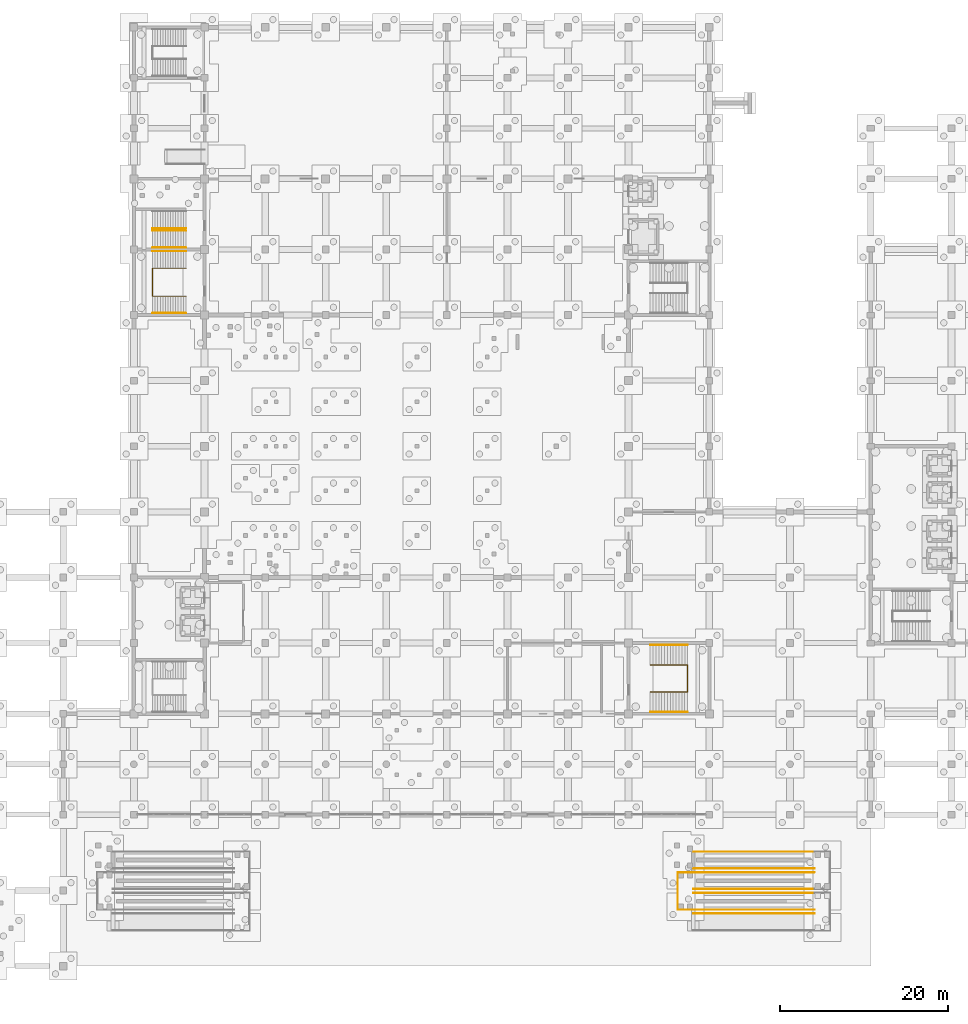
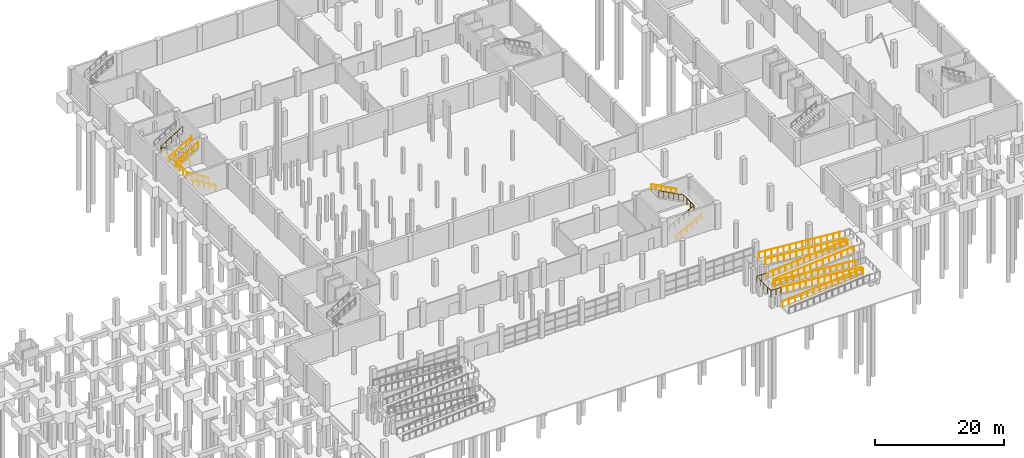
# One storey, part 39 of 42: 16 railings.
"""IFC4 building model written with IfcOpenShell, lengths in metres."""

import ifcopenshell
import ifcopenshell.guid

model = None  # the IFC model being written
_history = None  # IfcOwnerHistory: only IFC2X3 demands one
_inside = {}  # id of a spatial element -> (the spatial element, [elements in it])
_under = {}  # id of a project, library or spatial element -> (it, [spatial elements below it])
_declared = {}  # id of a project -> (the project, [libraries it declares])
_typed = {}  # id of a type object -> (the type object, [elements of that type])
_made_of = {}  # id of a material, layer set ... -> (it, [elements and type objects made of it])


def new_model(schema):
    """Start an empty IFC model of exactly this schema.

    Asked for "IFC4X3", IfcOpenShell would pick the latest addendum, in which some entities
    have other attributes; the version numbers below select the first issue.
    IFC2X3 requires an IfcOwnerHistory on every rooted entity: one is made here for all.
    """
    global model, _history
    if schema == "IFC4X3":
        model = ifcopenshell.file(schema_version=(4, 3, 0, 0))
    else:
        model = ifcopenshell.file(schema=schema)
    _inside.clear()
    _under.clear()
    _declared.clear()
    _typed.clear()
    _made_of.clear()
    _history = None
    if model.schema == "IFC2X3":
        org = make("IfcOrganization", Name="unknown")
        user = make(
            "IfcPersonAndOrganization",
            ThePerson=make("IfcPerson", FamilyName="unknown"),
            TheOrganization=org,
        )
        app = make(
            "IfcApplication",
            ApplicationDeveloper=org,
            Version="unknown",
            ApplicationFullName="unknown",
            ApplicationIdentifier="unknown",
        )
        _history = make(
            "IfcOwnerHistory",
            OwningUser=user,
            OwningApplication=app,
            ChangeAction="ADDED",
            CreationDate=0,
        )
    return model


def make(cls, **values):
    """One entity of the class cls with the attributes given. An attribute that is None is left unset."""
    return model.create_entity(
        cls, **{name: value for name, value in values.items() if value is not None}
    )


def rooted(cls, **values):
    """An entity with a GlobalId (a new one), such as an element, a storey or a relation."""
    return make(cls, GlobalId=ifcopenshell.guid.new(), OwnerHistory=_history, **values)


def si_unit(unit_type, name, prefix=None):
    """IfcSIUnit, for example si_unit("LENGTHUNIT", "METRE", prefix="MILLI")."""
    return make("IfcSIUnit", UnitType=unit_type, Prefix=prefix, Name=name)


def assignment(units):
    """IfcUnitAssignment: the units of a project."""
    return None if units is None else make("IfcUnitAssignment", Units=units)


def point(xyz):
    """IfcCartesianPoint."""
    return None if xyz is None else make("IfcCartesianPoint", Coordinates=xyz)


def direction(xyz):
    """IfcDirection."""
    return None if xyz is None else make("IfcDirection", DirectionRatios=xyz)


def frame(location, z_axis=None, x_axis=None):
    """IfcAxis2Placement3D, a coordinate frame: its origin and axes. An axis left out is left unset."""
    return make(
        "IfcAxis2Placement3D",
        Location=point(location),
        Axis=direction(z_axis),
        RefDirection=direction(x_axis),
    )


def frame_2d(location, x_axis=None):
    """IfcAxis2Placement2D, a coordinate frame in the plane: its origin and x axis."""
    return make(
        "IfcAxis2Placement2D", Location=point(location), RefDirection=direction(x_axis)
    )


def origin():
    """The frame at (0, 0, 0) with its axes left unset."""
    return frame((0.0, 0.0, 0.0))


def origin_2d():
    """The frame at (0, 0) in the plane with its x axis left unset."""
    return frame_2d((0.0, 0.0))


def place(relative_to, where):
    """IfcLocalPlacement: puts the frame where relative to a parent placement (None: the world)."""
    return make(
        "IfcLocalPlacement", PlacementRelTo=relative_to, RelativePlacement=where
    )


def context(
    kind, dimensions, precision=None, world=None, true_north=None, identifier=None
):
    """IfcGeometricRepresentationContext, for example the 3D "Model" context."""
    return make(
        "IfcGeometricRepresentationContext",
        ContextIdentifier=identifier,
        ContextType=kind,
        CoordinateSpaceDimension=dimensions,
        Precision=precision,
        WorldCoordinateSystem=world,
        TrueNorth=true_north,
    )


def subcontext(parent, identifier, kind, view, scale=None):
    """IfcGeometricRepresentationSubContext, for example "Body" below "Model"."""
    return make(
        "IfcGeometricRepresentationSubContext",
        ContextIdentifier=identifier,
        ContextType=kind,
        ParentContext=parent,
        TargetScale=scale,
        TargetView=view,
    )


def project(units=None, contexts=None):
    """IfcProject with its units and contexts."""
    return rooted(
        "IfcProject",
        Name="project",
        RepresentationContexts=contexts,
        UnitsInContext=assignment(units),
    )


def spatial(cls, under=None, at=None, **own):
    """A site, building, storey or space (cls), placed at a placement, below another one or the project."""
    s = rooted(cls, ObjectPlacement=at, **own)
    if under is not None:
        _under.setdefault(under.id(), (under, []))[1].append(s)
    return s


def profile(cls, at=None, kind="AREA", **sizes):
    """A parametric profile (cls). Its sizes go by their IFC names, for example OverallWidth=200.0."""
    return make(cls, ProfileType=kind, Position=at, **sizes)


def circle(**sizes):
    """IfcCircleProfileDef."""
    return profile("IfcCircleProfileDef", **sizes)


def extrude(swept, where, along, depth):
    """IfcExtrudedAreaSolid: the profile swept, set in the frame where, extruded along a direction by depth."""
    return make(
        "IfcExtrudedAreaSolid",
        SweptArea=swept,
        Position=where,
        ExtrudedDirection=direction(along),
        Depth=depth,
    )


def shape(context_of_items, identifier, shape_type, items):
    """IfcShapeRepresentation: the items that make up one representation, for example the "Body"."""
    return make(
        "IfcShapeRepresentation",
        ContextOfItems=context_of_items,
        RepresentationIdentifier=identifier,
        RepresentationType=shape_type,
        Items=items,
    )


def material(Name=None, Category=None):
    """IfcMaterial."""
    return make("IfcMaterial", Name=Name, Category=Category)


def made_of(thing, what):
    """Note that an element or type object is made of a material, layer set ...; save() writes the relation."""
    if what is not None:
        _made_of.setdefault(what.id(), (what, []))[1].append(thing)
    return thing


def type_object(cls, material=None, **own):
    """A type object (cls), such as IfcWallType, which elements share."""
    return made_of(rooted(cls, **own), material)


def element(
    cls,
    number,
    at=None,
    inside=None,
    cuts=None,
    type_object=None,
    material=None,
    context=None,
    identifier="Body",
    shape_type=None,
    held_by="IfcProductDefinitionShape",
    body=None,
    shapes=None,
    **own,
):
    """One element of the class cls, such as IfcWall. Its Tag is "e" and its number.

    at: its placement. inside: the storey or other place that contains it. cuts: it is an
    opening in that element (IfcRelVoidsElement). A single representation is given by context,
    identifier, shape_type and body (its items); several are given by shapes. held_by: the class
    of the entity that holds the representations. save() writes the other relations.
    """
    e = rooted(cls, Tag="e%d" % number, ObjectPlacement=at, **own)
    if body is not None:
        shapes = [shape(context, identifier, shape_type, body)]
    if shapes is not None:
        e.Representation = make(held_by, Representations=shapes)
    if inside is not None:
        _inside.setdefault(inside.id(), (inside, []))[1].append(e)
    if cuts is not None:
        rooted(
            "IfcRelVoidsElement", RelatingBuildingElement=cuts, RelatedOpeningElement=e
        )
    if type_object is not None:
        _typed.setdefault(type_object.id(), (type_object, []))[1].append(e)
    return made_of(e, material)


def aggregate(whole, parts):
    """IfcRelAggregates: a whole, such as a stair, and the parts it consists of."""
    return rooted("IfcRelAggregates", RelatingObject=whole, RelatedObjects=parts)


def save(model, path):
    """Write the relations noted so far, then the file.

    IfcRelAggregates (storeys below a building ...), IfcRelContainedInSpatialStructure (elements
    in a storey), IfcRelDefinesByType, IfcRelAssociatesMaterial and IfcRelDeclares: one each for
    every whole, place, type object, material and project.
    """
    for whole, parts in _under.values():
        aggregate(whole, parts)
    for where, things in _inside.values():
        rooted(
            "IfcRelContainedInSpatialStructure",
            RelatedElements=things,
            RelatingStructure=where,
        )
    for kind, things in _typed.values():
        rooted("IfcRelDefinesByType", RelatedObjects=things, RelatingType=kind)
    for what, things in _made_of.values():
        rooted("IfcRelAssociatesMaterial", RelatedObjects=things, RelatingMaterial=what)
    for by, libraries in _declared.values():
        rooted("IfcRelDeclares", RelatingContext=by, RelatedDefinitions=libraries)
    model.write(path)


model = new_model("IFC4")

# Units and contexts
model_context = context("Model", 3, precision=1e-05, world=origin(), true_north=direction((0.0, 1.0)))
body_context = subcontext(model_context, "Body", "Model", "MODEL_VIEW")
ifc_project = project(units=[si_unit("LENGTHUNIT", "METRE"), si_unit("AREAUNIT", "SQUARE_METRE"), si_unit("VOLUMEUNIT", "CUBIC_METRE"), si_unit("PLANEANGLEUNIT", "RADIAN"), si_unit("MASSUNIT", "GRAM", prefix="KILO")], contexts=[model_context])

# Site, building, storey
site_placement = place(None, origin())
site = spatial("IfcSite", under=ifc_project, at=site_placement, CompositionType="ELEMENT")
building_placement = place(site_placement, origin())
building = spatial("IfcBuilding", under=site, at=building_placement, Name="Pellamere Symphony Hall", CompositionType="ELEMENT")
storey_placement = place(building_placement, frame((0.0, 0.0, -4.800048828125)))
storey = spatial("IfcBuildingStorey", under=building, at=storey_placement, Name="B1", CompositionType="ELEMENT", Elevation=-4.800048828125)

# Railings
ifc_material_1 = material(Name="Painted Steel CSA G40.21 350W", Category="steel")
railing_type_1 = type_object("IfcRailingType", Name="Guardrail GR-02 H1150 Painted", PredefinedType="GUARDRAIL", material=ifc_material_1)
railing_1_placement = place(storey_placement, frame((56.574951171875, 79.639892578125, 0.0)))
element("IfcRailing", 1, at=railing_1_placement, inside=storey, type_object=railing_type_1, Name="Stair ST07-B1 Continuous Well Guardrail (B1)", PredefinedType="GUARDRAIL", context=body_context, shape_type="SweptSolid", body=[
    extrude(circle(Radius=0.02392578125, at=origin_2d()), frame((0.0, 0.0, 1.1259765625), z_axis=(-0.854599162348, 0.0, 0.519288235679), x_axis=(0.0, -1.0, 0.0)), (0.0, 0.0, 1.0), 4.6220703125),
    extrude(circle(Radius=0.02392578125, at=origin_2d()), frame((-3.949951171875, 0.0, 3.52587890625), z_axis=(0.0, 1.0, 0.0), x_axis=(-1.0, 0.0, 0.0)), (0.0, 0.0, 1.0), 3.320068359375),
    extrude(circle(Radius=0.02392578125, at=origin_2d()), frame((-3.949951171875, 3.320068359375, 3.52587890625), z_axis=(0.854622603422, 0.0, 0.519249656446), x_axis=(0.0, 1.0, 0.0)), (0.0, 0.0, 1.0), 4.621826171875),
    extrude(circle(Radius=0.02099609375, at=origin_2d()), origin(), (0.0, 0.0, 1.0), 1.101806640625),
    extrude(circle(Radius=0.02099609375, at=origin_2d()), frame((-0.987548828125, 0.0, 0.60009765625)), (0.0, 0.0, 1.0), 1.101806640625),
    extrude(circle(Radius=0.02099609375, at=origin_2d()), frame((-1.97509765625, 0.0, 1.2001953125)), (0.0, 0.0, 1.0), 1.101806640625),
    extrude(circle(Radius=0.02099609375, at=origin_2d()), frame((-2.96240234375, 0.0, 1.800048828125)), (0.0, 0.0, 1.0), 1.101806640625),
    extrude(circle(Radius=0.02099609375, at=origin_2d()), frame((-3.949951171875, 0.0, 2.400146484375)), (0.0, 0.0, 1.0), 1.101806640625),
    extrude(circle(Radius=0.02099609375, at=origin_2d()), frame((-3.949951171875, 1.106689453125, 2.400146484375)), (0.0, 0.0, 1.0), 1.101806640625),
    extrude(circle(Radius=0.02099609375, at=origin_2d()), frame((-3.949951171875, 2.21337890625, 2.400146484375)), (0.0, 0.0, 1.0), 1.101806640625),
    extrude(circle(Radius=0.02099609375, at=origin_2d()), frame((-3.949951171875, 3.320068359375, 2.400146484375)), (0.0, 0.0, 1.0), 1.101806640625),
    extrude(circle(Radius=0.02099609375, at=origin_2d()), frame((-2.96240234375, 3.320068359375, 3.0)), (0.0, 0.0, 1.0), 1.101806640625),
    extrude(circle(Radius=0.02099609375, at=origin_2d()), frame((-1.97509765625, 3.320068359375, 3.60009765625)), (0.0, 0.0, 1.0), 1.101806640625),
    extrude(circle(Radius=0.02099609375, at=origin_2d()), frame((-0.987548828125, 3.320068359375, 4.2001953125)), (0.0, 0.0, 1.0), 1.101806640625),
    extrude(circle(Radius=0.02099609375, at=origin_2d()), frame((0.0, 3.320068359375, 4.800048828125)), (0.0, 0.0, 1.0), 1.101806640625),
])
railing_2_placement = place(storey_placement, frame((111.77490234375, 32.590087890625, 0.0)))
element("IfcRailing", 2, at=railing_2_placement, inside=storey, type_object=railing_type_1, Name="Stair ST08-B1 Continuous Well Guardrail (B1)", PredefinedType="GUARDRAIL", context=body_context, shape_type="SweptSolid", body=[
    extrude(circle(Radius=0.02392578125, at=origin_2d()), frame((0.0, 0.0, 1.1259765625), z_axis=(0.880149953968, 0.0, 0.474695753646), x_axis=(0.0, 1.0, 0.0)), (0.0, 0.0, 1.0), 5.05615234375),
    extrude(circle(Radius=0.02392578125, at=origin_2d()), frame((4.4501953125, 0.0, 3.52587890625), z_axis=(0.0, 1.0, 0.0), x_axis=(-1.0, 0.0, 0.0)), (0.0, 0.0, 1.0), 3.219970703125),
    extrude(circle(Radius=0.02392578125, at=origin_2d()), frame((4.4501953125, 3.219970703125, 3.52587890625), z_axis=(-0.880170127527, 0.0, 0.474658347245), x_axis=(0.0, -1.0, 0.0)), (0.0, 0.0, 1.0), 5.05615234375),
    extrude(circle(Radius=0.02099609375, at=origin_2d()), origin(), (0.0, 0.0, 1.0), 1.101806640625),
    extrude(circle(Radius=0.02099609375, at=origin_2d()), frame((0.89013671875, 0.0, 0.47998046875)), (0.0, 0.0, 1.0), 1.101806640625),
    extrude(circle(Radius=0.02099609375, at=origin_2d()), frame((1.780029296875, 0.0, 0.9599609375)), (0.0, 0.0, 1.0), 1.101806640625),
    extrude(circle(Radius=0.02099609375, at=origin_2d()), frame((2.670166015625, 0.0, 1.440185546875)), (0.0, 0.0, 1.0), 1.101806640625),
    extrude(circle(Radius=0.02099609375, at=origin_2d()), frame((3.56005859375, 0.0, 1.920166015625)), (0.0, 0.0, 1.0), 1.101806640625),
    extrude(circle(Radius=0.02099609375, at=origin_2d()), frame((4.4501953125, 0.0, 2.400146484375)), (0.0, 0.0, 1.0), 1.101806640625),
    extrude(circle(Radius=0.02099609375, at=origin_2d()), frame((4.4501953125, 1.0732421875, 2.400146484375)), (0.0, 0.0, 1.0), 1.101806640625),
    extrude(circle(Radius=0.02099609375, at=origin_2d()), frame((4.4501953125, 2.146728515625, 2.400146484375)), (0.0, 0.0, 1.0), 1.101806640625),
    extrude(circle(Radius=0.02099609375, at=origin_2d()), frame((4.4501953125, 3.219970703125, 2.400146484375)), (0.0, 0.0, 1.0), 1.101806640625),
    extrude(circle(Radius=0.02099609375, at=origin_2d()), frame((3.56005859375, 3.219970703125, 2.880126953125)), (0.0, 0.0, 1.0), 1.101806640625),
    extrude(circle(Radius=0.02099609375, at=origin_2d()), frame((2.670166015625, 3.219970703125, 3.360107421875)), (0.0, 0.0, 1.0), 1.101806640625),
    extrude(circle(Radius=0.02099609375, at=origin_2d()), frame((1.780029296875, 3.219970703125, 3.840087890625)), (0.0, 0.0, 1.0), 1.101806640625),
    extrude(circle(Radius=0.02099609375, at=origin_2d()), frame((0.89013671875, 3.219970703125, 4.320068359375)), (0.0, 0.0, 1.0), 1.101806640625),
    extrude(circle(Radius=0.02099609375, at=origin_2d()), frame((0.0, 3.219970703125, 4.800048828125)), (0.0, 0.0, 1.0), 1.101806640625),
])
railing_3_placement = place(storey_placement, frame((56.574951171875, 87.43994140625, 0.0)))
element("IfcRailing", 3, at=railing_3_placement, inside=storey, type_object=railing_type_1, Name="Stair ST13-B1 Continuous Well Guardrail (B1)", PredefinedType="GUARDRAIL", context=body_context, shape_type="SweptSolid", body=[
    extrude(circle(Radius=0.02392578125, at=origin_2d()), frame((0.0, 0.0, 1.1259765625), z_axis=(-0.854599162348, 0.0, 0.519288235679), x_axis=(0.0, -1.0, 0.0)), (0.0, 0.0, 1.0), 4.6220703125),
    extrude(circle(Radius=0.02392578125, at=origin_2d()), frame((-3.949951171875, 0.0, 3.52587890625), z_axis=(0.0, 1.0, 0.0), x_axis=(-1.0, 0.0, 0.0)), (0.0, 0.0, 1.0), 0.280029296875),
    extrude(circle(Radius=0.02392578125, at=origin_2d()), frame((-3.949951171875, 0.280029296875, 3.52587890625), z_axis=(0.854622603422, 0.0, 0.519249656446), x_axis=(0.0, 1.0, 0.0)), (0.0, 0.0, 1.0), 4.621826171875),
    extrude(circle(Radius=0.02099609375, at=origin_2d()), origin(), (0.0, 0.0, 1.0), 1.101806640625),
    extrude(circle(Radius=0.02099609375, at=origin_2d()), frame((-0.987548828125, 0.0, 0.60009765625)), (0.0, 0.0, 1.0), 1.101806640625),
    extrude(circle(Radius=0.02099609375, at=origin_2d()), frame((-1.97509765625, 0.0, 1.2001953125)), (0.0, 0.0, 1.0), 1.101806640625),
    extrude(circle(Radius=0.02099609375, at=origin_2d()), frame((-2.96240234375, 0.0, 1.800048828125)), (0.0, 0.0, 1.0), 1.101806640625),
    extrude(circle(Radius=0.02099609375, at=origin_2d()), frame((-3.949951171875, 0.0, 2.400146484375)), (0.0, 0.0, 1.0), 1.101806640625),
    extrude(circle(Radius=0.02099609375, at=origin_2d()), frame((-3.949951171875, 0.280029296875, 2.400146484375)), (0.0, 0.0, 1.0), 1.101806640625),
    extrude(circle(Radius=0.02099609375, at=origin_2d()), frame((-2.96240234375, 0.280029296875, 3.0)), (0.0, 0.0, 1.0), 1.101806640625),
    extrude(circle(Radius=0.02099609375, at=origin_2d()), frame((-1.97509765625, 0.280029296875, 3.60009765625)), (0.0, 0.0, 1.0), 1.101806640625),
    extrude(circle(Radius=0.02099609375, at=origin_2d()), frame((-0.987548828125, 0.280029296875, 4.2001953125)), (0.0, 0.0, 1.0), 1.101806640625),
    extrude(circle(Radius=0.02099609375, at=origin_2d()), frame((0.0, 0.280029296875, 4.800048828125)), (0.0, 0.0, 1.0), 1.101806640625),
])
railing_4_placement = place(storey_placement, frame((116.89990234375, 6.25, 0.0)))
element("IfcRailing", 4, at=railing_4_placement, inside=storey, type_object=railing_type_1, Name="Ramp RMP-02 Flight 1 Guardrail B", PredefinedType="GUARDRAIL", context=body_context, shape_type="SweptSolid", body=[
    extrude(circle(Radius=0.02392578125, at=origin_2d()), frame((0.0, 0.0, 1.1259765625), z_axis=(0.996546107798, 0.0, 0.083041285113), x_axis=(0.0, 1.0, 0.0)), (0.0, 0.0, 1.0), 14.449951171875),
    extrude(circle(Radius=0.02099609375, at=origin_2d()), origin(), (0.0, 0.0, 1.0), 1.101806640625),
    extrude(circle(Radius=0.02099609375, at=origin_2d()), frame((1.107666015625, 0.0, 0.09228515625)), (0.0, 0.0, 1.0), 1.101806640625),
    extrude(circle(Radius=0.02099609375, at=origin_2d()), frame((2.21533203125, 0.0, 0.1845703125)), (0.0, 0.0, 1.0), 1.101806640625),
    extrude(circle(Radius=0.02099609375, at=origin_2d()), frame((3.322998046875, 0.0, 0.27685546875)), (0.0, 0.0, 1.0), 1.101806640625),
    extrude(circle(Radius=0.02099609375, at=origin_2d()), frame((4.430908203125, 0.0, 0.369140625)), (0.0, 0.0, 1.0), 1.101806640625),
    extrude(circle(Radius=0.02099609375, at=origin_2d()), frame((5.53857421875, 0.0, 0.46142578125)), (0.0, 0.0, 1.0), 1.101806640625),
    extrude(circle(Radius=0.02099609375, at=origin_2d()), frame((6.646240234375, 0.0, 0.5537109375)), (0.0, 0.0, 1.0), 1.101806640625),
    extrude(circle(Radius=0.02099609375, at=origin_2d()), frame((7.75390625, 0.0, 0.646240234375)), (0.0, 0.0, 1.0), 1.101806640625),
    extrude(circle(Radius=0.02099609375, at=origin_2d()), frame((8.861572265625, 0.0, 0.738525390625)), (0.0, 0.0, 1.0), 1.101806640625),
    extrude(circle(Radius=0.02099609375, at=origin_2d()), frame((9.96923828125, 0.0, 0.830810546875)), (0.0, 0.0, 1.0), 1.101806640625),
    extrude(circle(Radius=0.02099609375, at=origin_2d()), frame((11.0771484375, 0.0, 0.923095703125)), (0.0, 0.0, 1.0), 1.101806640625),
    extrude(circle(Radius=0.02099609375, at=origin_2d()), frame((12.184814453125, 0.0, 1.015380859375)), (0.0, 0.0, 1.0), 1.101806640625),
    extrude(circle(Radius=0.02099609375, at=origin_2d()), frame((13.29248046875, 0.0, 1.107666015625)), (0.0, 0.0, 1.0), 1.101806640625),
    extrude(circle(Radius=0.02099609375, at=origin_2d()), frame((14.400146484375, 0.0, 1.199951171875)), (0.0, 0.0, 1.0), 1.101806640625),
])
railing_5_placement = place(storey_placement, frame((131.300048828125, 6.699951171875, 1.199951171875)))
element("IfcRailing", 5, at=railing_5_placement, inside=storey, type_object=railing_type_1, Name="Ramp RMP-02 Flight 2 Guardrail A", PredefinedType="GUARDRAIL", context=body_context, shape_type="SweptSolid", body=[
    extrude(circle(Radius=0.02392578125, at=origin_2d()), frame((0.0, 0.0, 1.1259765625), z_axis=(-0.996544709482, 0.0, 0.083058064049), x_axis=(0.0, -1.0, 0.0)), (0.0, 0.0, 1.0), 14.4501953125),
    extrude(circle(Radius=0.02099609375, at=origin_2d()), origin(), (0.0, 0.0, 1.0), 1.101806640625),
    extrude(circle(Radius=0.02099609375, at=origin_2d()), frame((-1.107666015625, 0.0, 0.09228515625)), (0.0, 0.0, 1.0), 1.101806640625),
    extrude(circle(Radius=0.02099609375, at=origin_2d()), frame((-2.21533203125, 0.0, 0.1845703125)), (0.0, 0.0, 1.0), 1.101806640625),
    extrude(circle(Radius=0.02099609375, at=origin_2d()), frame((-3.322998046875, 0.0, 0.27685546875)), (0.0, 0.0, 1.0), 1.101806640625),
    extrude(circle(Radius=0.02099609375, at=origin_2d()), frame((-4.430908203125, 0.0, 0.369384765625)), (0.0, 0.0, 1.0), 1.101806640625),
    extrude(circle(Radius=0.02099609375, at=origin_2d()), frame((-5.53857421875, 0.0, 0.461669921875)), (0.0, 0.0, 1.0), 1.101806640625),
    extrude(circle(Radius=0.02099609375, at=origin_2d()), frame((-6.646240234375, 0.0, 0.553955078125)), (0.0, 0.0, 1.0), 1.101806640625),
    extrude(circle(Radius=0.02099609375, at=origin_2d()), frame((-7.75390625, 0.0, 0.646240234375)), (0.0, 0.0, 1.0), 1.101806640625),
    extrude(circle(Radius=0.02099609375, at=origin_2d()), frame((-8.861572265625, 0.0, 0.738525390625)), (0.0, 0.0, 1.0), 1.101806640625),
    extrude(circle(Radius=0.02099609375, at=origin_2d()), frame((-9.96923828125, 0.0, 0.830810546875)), (0.0, 0.0, 1.0), 1.101806640625),
    extrude(circle(Radius=0.02099609375, at=origin_2d()), frame((-11.0771484375, 0.0, 0.92333984375)), (0.0, 0.0, 1.0), 1.101806640625),
    extrude(circle(Radius=0.02099609375, at=origin_2d()), frame((-12.184814453125, 0.0, 1.015625)), (0.0, 0.0, 1.0), 1.101806640625),
    extrude(circle(Radius=0.02099609375, at=origin_2d()), frame((-13.29248046875, 0.0, 1.10791015625)), (0.0, 0.0, 1.0), 1.101806640625),
    extrude(circle(Radius=0.02099609375, at=origin_2d()), frame((-14.400146484375, 0.0, 1.2001953125)), (0.0, 0.0, 1.0), 1.101806640625),
])
railing_6_placement = place(storey_placement, frame((131.300048828125, 8.699951171875, 1.199951171875)))
element("IfcRailing", 6, at=railing_6_placement, inside=storey, type_object=railing_type_1, Name="Ramp RMP-02 Flight 2 Guardrail B", PredefinedType="GUARDRAIL", context=body_context, shape_type="SweptSolid", body=[
    extrude(circle(Radius=0.02392578125, at=origin_2d()), frame((0.0, 0.0, 1.1259765625), z_axis=(-0.996544709482, 0.0, 0.083058064049), x_axis=(0.0, -1.0, 0.0)), (0.0, 0.0, 1.0), 14.4501953125),
    extrude(circle(Radius=0.02099609375, at=origin_2d()), origin(), (0.0, 0.0, 1.0), 1.101806640625),
    extrude(circle(Radius=0.02099609375, at=origin_2d()), frame((-1.107666015625, 0.0, 0.09228515625)), (0.0, 0.0, 1.0), 1.101806640625),
    extrude(circle(Radius=0.02099609375, at=origin_2d()), frame((-2.21533203125, 0.0, 0.1845703125)), (0.0, 0.0, 1.0), 1.101806640625),
    extrude(circle(Radius=0.02099609375, at=origin_2d()), frame((-3.322998046875, 0.0, 0.27685546875)), (0.0, 0.0, 1.0), 1.101806640625),
    extrude(circle(Radius=0.02099609375, at=origin_2d()), frame((-4.430908203125, 0.0, 0.369384765625)), (0.0, 0.0, 1.0), 1.101806640625),
    extrude(circle(Radius=0.02099609375, at=origin_2d()), frame((-5.53857421875, 0.0, 0.461669921875)), (0.0, 0.0, 1.0), 1.101806640625),
    extrude(circle(Radius=0.02099609375, at=origin_2d()), frame((-6.646240234375, 0.0, 0.553955078125)), (0.0, 0.0, 1.0), 1.101806640625),
    extrude(circle(Radius=0.02099609375, at=origin_2d()), frame((-7.75390625, 0.0, 0.646240234375)), (0.0, 0.0, 1.0), 1.101806640625),
    extrude(circle(Radius=0.02099609375, at=origin_2d()), frame((-8.861572265625, 0.0, 0.738525390625)), (0.0, 0.0, 1.0), 1.101806640625),
    extrude(circle(Radius=0.02099609375, at=origin_2d()), frame((-9.96923828125, 0.0, 0.830810546875)), (0.0, 0.0, 1.0), 1.101806640625),
    extrude(circle(Radius=0.02099609375, at=origin_2d()), frame((-11.0771484375, 0.0, 0.92333984375)), (0.0, 0.0, 1.0), 1.101806640625),
    extrude(circle(Radius=0.02099609375, at=origin_2d()), frame((-12.184814453125, 0.0, 1.015625)), (0.0, 0.0, 1.0), 1.101806640625),
    extrude(circle(Radius=0.02099609375, at=origin_2d()), frame((-13.29248046875, 0.0, 1.10791015625)), (0.0, 0.0, 1.0), 1.101806640625),
    extrude(circle(Radius=0.02099609375, at=origin_2d()), frame((-14.400146484375, 0.0, 1.2001953125)), (0.0, 0.0, 1.0), 1.101806640625),
])
railing_7_placement = place(storey_placement, frame((116.85009765625, 6.699951171875, 2.400146484375)))
element("IfcRailing", 7, at=railing_7_placement, inside=storey, type_object=railing_type_1, Name="Ramp RMP-02 Landing 2 Perimeter Guard", PredefinedType="GUARDRAIL", context=body_context, shape_type="SweptSolid", body=[
    extrude(circle(Radius=0.02392578125, at=origin_2d()), frame((0.0, 0.0, 1.1259765625), z_axis=(-1.0, 0.0, 0.0), x_axis=(0.0, -1.0, 0.0)), (0.0, 0.0, 1.0), 1.800048828125),
    extrude(circle(Radius=0.02392578125, at=origin_2d()), frame((-1.800048828125, 0.0, 1.1259765625), z_axis=(0.0, 1.0, 0.0), x_axis=(-1.0, 0.0, 0.0)), (0.0, 0.0, 1.0), 4.449951171875),
    extrude(circle(Radius=0.02392578125, at=origin_2d()), frame((-1.800048828125, 4.449951171875, 1.1259765625), z_axis=(1.0, 0.0, 0.0), x_axis=(0.0, 1.0, 0.0)), (0.0, 0.0, 1.0), 1.800048828125),
    extrude(circle(Radius=0.02099609375, at=origin_2d()), origin(), (0.0, 0.0, 1.0), 1.101806640625),
    extrude(circle(Radius=0.02099609375, at=origin_2d()), frame((-0.89990234375, 0.0, 0.0)), (0.0, 0.0, 1.0), 1.101806640625),
    extrude(circle(Radius=0.02099609375, at=origin_2d()), frame((-1.800048828125, 0.0, 0.0)), (0.0, 0.0, 1.0), 1.101806640625),
    extrude(circle(Radius=0.02099609375, at=origin_2d()), frame((-1.800048828125, 1.112548828125, 0.0)), (0.0, 0.0, 1.0), 1.101806640625),
    extrude(circle(Radius=0.02099609375, at=origin_2d()), frame((-1.800048828125, 2.22509765625, 0.0)), (0.0, 0.0, 1.0), 1.101806640625),
    extrude(circle(Radius=0.02099609375, at=origin_2d()), frame((-1.800048828125, 3.33740234375, 0.0)), (0.0, 0.0, 1.0), 1.101806640625),
    extrude(circle(Radius=0.02099609375, at=origin_2d()), frame((-1.800048828125, 4.449951171875, 0.0)), (0.0, 0.0, 1.0), 1.101806640625),
    extrude(circle(Radius=0.02099609375, at=origin_2d()), frame((-0.89990234375, 4.449951171875, 0.0)), (0.0, 0.0, 1.0), 1.101806640625),
    extrude(circle(Radius=0.02099609375, at=origin_2d()), frame((0.0, 4.449951171875, 0.0)), (0.0, 0.0, 1.0), 1.101806640625),
])
railing_8_placement = place(storey_placement, frame((116.89990234375, 9.14990234375, 2.400146484375)))
element("IfcRailing", 8, at=railing_8_placement, inside=storey, type_object=railing_type_1, Name="Ramp RMP-02 Flight 3 Guardrail A", PredefinedType="GUARDRAIL", context=body_context, shape_type="SweptSolid", body=[
    extrude(circle(Radius=0.02392578125, at=origin_2d()), frame((0.0, 0.0, 1.1259765625), z_axis=(0.996546107798, 0.0, 0.083041285113), x_axis=(0.0, 1.0, 0.0)), (0.0, 0.0, 1.0), 14.449951171875),
    extrude(circle(Radius=0.02099609375, at=origin_2d()), origin(), (0.0, 0.0, 1.0), 1.101806640625),
    extrude(circle(Radius=0.02099609375, at=origin_2d()), frame((1.107666015625, 0.0, 0.09228515625)), (0.0, 0.0, 1.0), 1.101806640625),
    extrude(circle(Radius=0.02099609375, at=origin_2d()), frame((2.21533203125, 0.0, 0.1845703125)), (0.0, 0.0, 1.0), 1.101806640625),
    extrude(circle(Radius=0.02099609375, at=origin_2d()), frame((3.322998046875, 0.0, 0.27685546875)), (0.0, 0.0, 1.0), 1.101806640625),
    extrude(circle(Radius=0.02099609375, at=origin_2d()), frame((4.430908203125, 0.0, 0.369140625)), (0.0, 0.0, 1.0), 1.101806640625),
    extrude(circle(Radius=0.02099609375, at=origin_2d()), frame((5.53857421875, 0.0, 0.46142578125)), (0.0, 0.0, 1.0), 1.101806640625),
    extrude(circle(Radius=0.02099609375, at=origin_2d()), frame((6.646240234375, 0.0, 0.5537109375)), (0.0, 0.0, 1.0), 1.101806640625),
    extrude(circle(Radius=0.02099609375, at=origin_2d()), frame((7.75390625, 0.0, 0.646240234375)), (0.0, 0.0, 1.0), 1.101806640625),
    extrude(circle(Radius=0.02099609375, at=origin_2d()), frame((8.861572265625, 0.0, 0.738525390625)), (0.0, 0.0, 1.0), 1.101806640625),
    extrude(circle(Radius=0.02099609375, at=origin_2d()), frame((9.96923828125, 0.0, 0.830810546875)), (0.0, 0.0, 1.0), 1.101806640625),
    extrude(circle(Radius=0.02099609375, at=origin_2d()), frame((11.0771484375, 0.0, 0.923095703125)), (0.0, 0.0, 1.0), 1.101806640625),
    extrude(circle(Radius=0.02099609375, at=origin_2d()), frame((12.184814453125, 0.0, 1.015380859375)), (0.0, 0.0, 1.0), 1.101806640625),
    extrude(circle(Radius=0.02099609375, at=origin_2d()), frame((13.29248046875, 0.0, 1.107666015625)), (0.0, 0.0, 1.0), 1.101806640625),
    extrude(circle(Radius=0.02099609375, at=origin_2d()), frame((14.400146484375, 0.0, 1.199951171875)), (0.0, 0.0, 1.0), 1.101806640625),
])
railing_9_placement = place(storey_placement, frame((116.89990234375, 11.14990234375, 2.400146484375)))
element("IfcRailing", 9, at=railing_9_placement, inside=storey, type_object=railing_type_1, Name="Ramp RMP-02 Flight 3 Guardrail B", PredefinedType="GUARDRAIL", context=body_context, shape_type="SweptSolid", body=[
    extrude(circle(Radius=0.02392578125, at=origin_2d()), frame((0.0, 0.0, 1.1259765625), z_axis=(0.996546107798, 0.0, 0.083041285113), x_axis=(0.0, 1.0, 0.0)), (0.0, 0.0, 1.0), 14.449951171875),
    extrude(circle(Radius=0.02099609375, at=origin_2d()), origin(), (0.0, 0.0, 1.0), 1.101806640625),
    extrude(circle(Radius=0.02099609375, at=origin_2d()), frame((1.107666015625, 0.0, 0.09228515625)), (0.0, 0.0, 1.0), 1.101806640625),
    extrude(circle(Radius=0.02099609375, at=origin_2d()), frame((2.21533203125, 0.0, 0.1845703125)), (0.0, 0.0, 1.0), 1.101806640625),
    extrude(circle(Radius=0.02099609375, at=origin_2d()), frame((3.322998046875, 0.0, 0.27685546875)), (0.0, 0.0, 1.0), 1.101806640625),
    extrude(circle(Radius=0.02099609375, at=origin_2d()), frame((4.430908203125, 0.0, 0.369140625)), (0.0, 0.0, 1.0), 1.101806640625),
    extrude(circle(Radius=0.02099609375, at=origin_2d()), frame((5.53857421875, 0.0, 0.46142578125)), (0.0, 0.0, 1.0), 1.101806640625),
    extrude(circle(Radius=0.02099609375, at=origin_2d()), frame((6.646240234375, 0.0, 0.5537109375)), (0.0, 0.0, 1.0), 1.101806640625),
    extrude(circle(Radius=0.02099609375, at=origin_2d()), frame((7.75390625, 0.0, 0.646240234375)), (0.0, 0.0, 1.0), 1.101806640625),
    extrude(circle(Radius=0.02099609375, at=origin_2d()), frame((8.861572265625, 0.0, 0.738525390625)), (0.0, 0.0, 1.0), 1.101806640625),
    extrude(circle(Radius=0.02099609375, at=origin_2d()), frame((9.96923828125, 0.0, 0.830810546875)), (0.0, 0.0, 1.0), 1.101806640625),
    extrude(circle(Radius=0.02099609375, at=origin_2d()), frame((11.0771484375, 0.0, 0.923095703125)), (0.0, 0.0, 1.0), 1.101806640625),
    extrude(circle(Radius=0.02099609375, at=origin_2d()), frame((12.184814453125, 0.0, 1.015380859375)), (0.0, 0.0, 1.0), 1.101806640625),
    extrude(circle(Radius=0.02099609375, at=origin_2d()), frame((13.29248046875, 0.0, 1.107666015625)), (0.0, 0.0, 1.0), 1.101806640625),
    extrude(circle(Radius=0.02099609375, at=origin_2d()), frame((14.400146484375, 0.0, 1.199951171875)), (0.0, 0.0, 1.0), 1.101806640625),
])
railing_10_placement = place(storey_placement, frame((131.300048828125, 11.60009765625, 3.60009765625)))
element("IfcRailing", 10, at=railing_10_placement, inside=storey, type_object=railing_type_1, Name="Ramp RMP-02 Flight 4 Guardrail A", PredefinedType="GUARDRAIL", context=body_context, shape_type="SweptSolid", body=[
    extrude(circle(Radius=0.02392578125, at=origin_2d()), frame((0.0, 0.0, 1.1259765625), z_axis=(-0.996546107798, 0.0, 0.083041285113), x_axis=(0.0, -1.0, 0.0)), (0.0, 0.0, 1.0), 14.449951171875),
    extrude(circle(Radius=0.02099609375, at=origin_2d()), origin(), (0.0, 0.0, 1.0), 1.101806640625),
    extrude(circle(Radius=0.02099609375, at=origin_2d()), frame((-1.107666015625, 0.0, 0.09228515625)), (0.0, 0.0, 1.0), 1.101806640625),
    extrude(circle(Radius=0.02099609375, at=origin_2d()), frame((-2.21533203125, 0.0, 0.1845703125)), (0.0, 0.0, 1.0), 1.101806640625),
    extrude(circle(Radius=0.02099609375, at=origin_2d()), frame((-3.322998046875, 0.0, 0.27685546875)), (0.0, 0.0, 1.0), 1.101806640625),
    extrude(circle(Radius=0.02099609375, at=origin_2d()), frame((-4.430908203125, 0.0, 0.369140625)), (0.0, 0.0, 1.0), 1.101806640625),
    extrude(circle(Radius=0.02099609375, at=origin_2d()), frame((-5.53857421875, 0.0, 0.46142578125)), (0.0, 0.0, 1.0), 1.101806640625),
    extrude(circle(Radius=0.02099609375, at=origin_2d()), frame((-6.646240234375, 0.0, 0.5537109375)), (0.0, 0.0, 1.0), 1.101806640625),
    extrude(circle(Radius=0.02099609375, at=origin_2d()), frame((-7.75390625, 0.0, 0.646240234375)), (0.0, 0.0, 1.0), 1.101806640625),
    extrude(circle(Radius=0.02099609375, at=origin_2d()), frame((-8.861572265625, 0.0, 0.738525390625)), (0.0, 0.0, 1.0), 1.101806640625),
    extrude(circle(Radius=0.02099609375, at=origin_2d()), frame((-9.96923828125, 0.0, 0.830810546875)), (0.0, 0.0, 1.0), 1.101806640625),
    extrude(circle(Radius=0.02099609375, at=origin_2d()), frame((-11.0771484375, 0.0, 0.923095703125)), (0.0, 0.0, 1.0), 1.101806640625),
    extrude(circle(Radius=0.02099609375, at=origin_2d()), frame((-12.184814453125, 0.0, 1.015380859375)), (0.0, 0.0, 1.0), 1.101806640625),
    extrude(circle(Radius=0.02099609375, at=origin_2d()), frame((-13.29248046875, 0.0, 1.107666015625)), (0.0, 0.0, 1.0), 1.101806640625),
    extrude(circle(Radius=0.02099609375, at=origin_2d()), frame((-14.400146484375, 0.0, 1.199951171875)), (0.0, 0.0, 1.0), 1.101806640625),
])
railing_11_placement = place(storey_placement, frame((131.300048828125, 13.60009765625, 3.60009765625)))
element("IfcRailing", 11, at=railing_11_placement, inside=storey, type_object=railing_type_1, Name="Ramp RMP-02 Flight 4 Guardrail B", PredefinedType="GUARDRAIL", context=body_context, shape_type="SweptSolid", body=[
    extrude(circle(Radius=0.02392578125, at=origin_2d()), frame((0.0, 0.0, 1.1259765625), z_axis=(-0.996546107798, 0.0, 0.083041285113), x_axis=(0.0, -1.0, 0.0)), (0.0, 0.0, 1.0), 14.449951171875),
    extrude(circle(Radius=0.02099609375, at=origin_2d()), origin(), (0.0, 0.0, 1.0), 1.101806640625),
    extrude(circle(Radius=0.02099609375, at=origin_2d()), frame((-1.107666015625, 0.0, 0.09228515625)), (0.0, 0.0, 1.0), 1.101806640625),
    extrude(circle(Radius=0.02099609375, at=origin_2d()), frame((-2.21533203125, 0.0, 0.1845703125)), (0.0, 0.0, 1.0), 1.101806640625),
    extrude(circle(Radius=0.02099609375, at=origin_2d()), frame((-3.322998046875, 0.0, 0.27685546875)), (0.0, 0.0, 1.0), 1.101806640625),
    extrude(circle(Radius=0.02099609375, at=origin_2d()), frame((-4.430908203125, 0.0, 0.369140625)), (0.0, 0.0, 1.0), 1.101806640625),
    extrude(circle(Radius=0.02099609375, at=origin_2d()), frame((-5.53857421875, 0.0, 0.46142578125)), (0.0, 0.0, 1.0), 1.101806640625),
    extrude(circle(Radius=0.02099609375, at=origin_2d()), frame((-6.646240234375, 0.0, 0.5537109375)), (0.0, 0.0, 1.0), 1.101806640625),
    extrude(circle(Radius=0.02099609375, at=origin_2d()), frame((-7.75390625, 0.0, 0.646240234375)), (0.0, 0.0, 1.0), 1.101806640625),
    extrude(circle(Radius=0.02099609375, at=origin_2d()), frame((-8.861572265625, 0.0, 0.738525390625)), (0.0, 0.0, 1.0), 1.101806640625),
    extrude(circle(Radius=0.02099609375, at=origin_2d()), frame((-9.96923828125, 0.0, 0.830810546875)), (0.0, 0.0, 1.0), 1.101806640625),
    extrude(circle(Radius=0.02099609375, at=origin_2d()), frame((-11.0771484375, 0.0, 0.923095703125)), (0.0, 0.0, 1.0), 1.101806640625),
    extrude(circle(Radius=0.02099609375, at=origin_2d()), frame((-12.184814453125, 0.0, 1.015380859375)), (0.0, 0.0, 1.0), 1.101806640625),
    extrude(circle(Radius=0.02099609375, at=origin_2d()), frame((-13.29248046875, 0.0, 1.107666015625)), (0.0, 0.0, 1.0), 1.101806640625),
    extrude(circle(Radius=0.02099609375, at=origin_2d()), frame((-14.400146484375, 0.0, 1.199951171875)), (0.0, 0.0, 1.0), 1.101806640625),
])
ifc_material_2 = material(Name="Stainless Steel AISI 316", Category="steel")
railing_type_2 = type_object("IfcRailingType", Name="Handrail HR-01 H920 Stainless", PredefinedType="HANDRAIL", material=ifc_material_2)
railing_12_placement = place(storey_placement, frame((56.574951171875, 77.6201171875, 0.0)))
element("IfcRailing", 12, at=railing_12_placement, inside=storey, type_object=railing_type_2, Name="Stair ST07-B1 Lower Wall Handrail (B1)", PredefinedType="HANDRAIL", context=body_context, shape_type="SweptSolid", body=[
    extrude(circle(Radius=0.02392578125, at=origin_2d()), frame((0.0, 0.0, 0.89599609375), z_axis=(-0.854599162348, 0.0, 0.519288235679), x_axis=(0.0, -1.0, 0.0)), (0.0, 0.0, 1.0), 4.6220703125),
    extrude(circle(Radius=0.02099609375, at=origin_2d()), origin(), (0.0, 0.0, 1.0), 0.871826171875),
    extrude(circle(Radius=0.02099609375, at=origin_2d()), frame((-0.987548828125, 0.0, 0.60009765625)), (0.0, 0.0, 1.0), 0.871826171875),
    extrude(circle(Radius=0.02099609375, at=origin_2d()), frame((-1.97509765625, 0.0, 1.2001953125)), (0.0, 0.0, 1.0), 0.871826171875),
    extrude(circle(Radius=0.02099609375, at=origin_2d()), frame((-2.96240234375, 0.0, 1.800048828125)), (0.0, 0.0, 1.0), 0.871826171875),
    extrude(circle(Radius=0.02099609375, at=origin_2d()), frame((-3.949951171875, 0.0, 2.400146484375)), (0.0, 0.0, 1.0), 0.871826171875),
])
railing_13_placement = place(storey_placement, frame((52.625, 84.97998046875, 2.400146484375)))
element("IfcRailing", 13, at=railing_13_placement, inside=storey, type_object=railing_type_2, Name="Stair ST07-B1 Upper Wall Handrail (B1)", PredefinedType="HANDRAIL", context=body_context, shape_type="SweptSolid", body=[
    extrude(circle(Radius=0.02392578125, at=origin_2d()), frame((0.0, 0.0, 0.89599609375), z_axis=(0.854622603422, 0.0, 0.519249656446), x_axis=(0.0, 1.0, 0.0)), (0.0, 0.0, 1.0), 4.621826171875),
    extrude(circle(Radius=0.02099609375, at=origin_2d()), origin(), (0.0, 0.0, 1.0), 0.871826171875),
    extrude(circle(Radius=0.02099609375, at=origin_2d()), frame((0.987548828125, 0.0, 0.60009765625)), (0.0, 0.0, 1.0), 0.871826171875),
    extrude(circle(Radius=0.02099609375, at=origin_2d()), frame((1.97509765625, 0.0, 1.199951171875)), (0.0, 0.0, 1.0), 0.871826171875),
    extrude(circle(Radius=0.02099609375, at=origin_2d()), frame((2.96240234375, 0.0, 1.7998046875)), (0.0, 0.0, 1.0), 0.871826171875),
    extrude(circle(Radius=0.02099609375, at=origin_2d()), frame((3.949951171875, 0.0, 2.39990234375)), (0.0, 0.0, 1.0), 0.871826171875),
])
railing_14_placement = place(storey_placement, frame((111.77490234375, 30.219970703125, 0.0)))
element("IfcRailing", 14, at=railing_14_placement, inside=storey, type_object=railing_type_2, Name="Stair ST08-B1 Lower Wall Handrail (B1)", PredefinedType="HANDRAIL", context=body_context, shape_type="SweptSolid", body=[
    extrude(circle(Radius=0.02392578125, at=origin_2d()), frame((0.0, 0.0, 0.89599609375), z_axis=(0.880149953968, 0.0, 0.474695753646), x_axis=(0.0, 1.0, 0.0)), (0.0, 0.0, 1.0), 5.05615234375),
    extrude(circle(Radius=0.02099609375, at=origin_2d()), origin(), (0.0, 0.0, 1.0), 0.871826171875),
    extrude(circle(Radius=0.02099609375, at=origin_2d()), frame((0.89013671875, 0.0, 0.47998046875)), (0.0, 0.0, 1.0), 0.871826171875),
    extrude(circle(Radius=0.02099609375, at=origin_2d()), frame((1.780029296875, 0.0, 0.9599609375)), (0.0, 0.0, 1.0), 0.871826171875),
    extrude(circle(Radius=0.02099609375, at=origin_2d()), frame((2.670166015625, 0.0, 1.440185546875)), (0.0, 0.0, 1.0), 0.871826171875),
    extrude(circle(Radius=0.02099609375, at=origin_2d()), frame((3.56005859375, 0.0, 1.920166015625)), (0.0, 0.0, 1.0), 0.871826171875),
    extrude(circle(Radius=0.02099609375, at=origin_2d()), frame((4.4501953125, 0.0, 2.400146484375)), (0.0, 0.0, 1.0), 0.871826171875),
])
railing_15_placement = place(storey_placement, frame((116.22509765625, 38.179931640625, 2.400146484375)))
element("IfcRailing", 15, at=railing_15_placement, inside=storey, type_object=railing_type_2, Name="Stair ST08-B1 Upper Wall Handrail (B1)", PredefinedType="HANDRAIL", context=body_context, shape_type="SweptSolid", body=[
    extrude(circle(Radius=0.02392578125, at=origin_2d()), frame((0.0, 0.0, 0.89599609375), z_axis=(-0.880170127527, 0.0, 0.474658347245), x_axis=(0.0, -1.0, 0.0)), (0.0, 0.0, 1.0), 5.05615234375),
    extrude(circle(Radius=0.02099609375, at=origin_2d()), origin(), (0.0, 0.0, 1.0), 0.871826171875),
    extrude(circle(Radius=0.02099609375, at=origin_2d()), frame((-0.89013671875, 0.0, 0.47998046875)), (0.0, 0.0, 1.0), 0.871826171875),
    extrude(circle(Radius=0.02099609375, at=origin_2d()), frame((-1.780029296875, 0.0, 0.9599609375)), (0.0, 0.0, 1.0), 0.871826171875),
    extrude(circle(Radius=0.02099609375, at=origin_2d()), frame((-2.670166015625, 0.0, 1.43994140625)), (0.0, 0.0, 1.0), 0.871826171875),
    extrude(circle(Radius=0.02099609375, at=origin_2d()), frame((-3.56005859375, 0.0, 1.919921875)), (0.0, 0.0, 1.0), 0.871826171875),
    extrude(circle(Radius=0.02099609375, at=origin_2d()), frame((-4.4501953125, 0.0, 2.39990234375)), (0.0, 0.0, 1.0), 0.871826171875),
])
railing_16_placement = place(storey_placement, frame((56.574951171875, 85.419921875, 0.0)))
element("IfcRailing", 16, at=railing_16_placement, inside=storey, type_object=railing_type_2, Name="Stair ST13-B1 Lower Wall Handrail (B1)", PredefinedType="HANDRAIL", context=body_context, shape_type="SweptSolid", body=[
    extrude(circle(Radius=0.02392578125, at=origin_2d()), frame((0.0, 0.0, 0.89599609375), z_axis=(-0.854599162348, 0.0, 0.519288235679), x_axis=(0.0, -1.0, 0.0)), (0.0, 0.0, 1.0), 4.6220703125),
    extrude(circle(Radius=0.02099609375, at=origin_2d()), origin(), (0.0, 0.0, 1.0), 0.871826171875),
    extrude(circle(Radius=0.02099609375, at=origin_2d()), frame((-0.987548828125, 0.0, 0.60009765625)), (0.0, 0.0, 1.0), 0.871826171875),
    extrude(circle(Radius=0.02099609375, at=origin_2d()), frame((-1.97509765625, 0.0, 1.2001953125)), (0.0, 0.0, 1.0), 0.871826171875),
    extrude(circle(Radius=0.02099609375, at=origin_2d()), frame((-2.96240234375, 0.0, 1.800048828125)), (0.0, 0.0, 1.0), 0.871826171875),
    extrude(circle(Radius=0.02099609375, at=origin_2d()), frame((-3.949951171875, 0.0, 2.400146484375)), (0.0, 0.0, 1.0), 0.871826171875),
])

save(model, "model.ifc")
